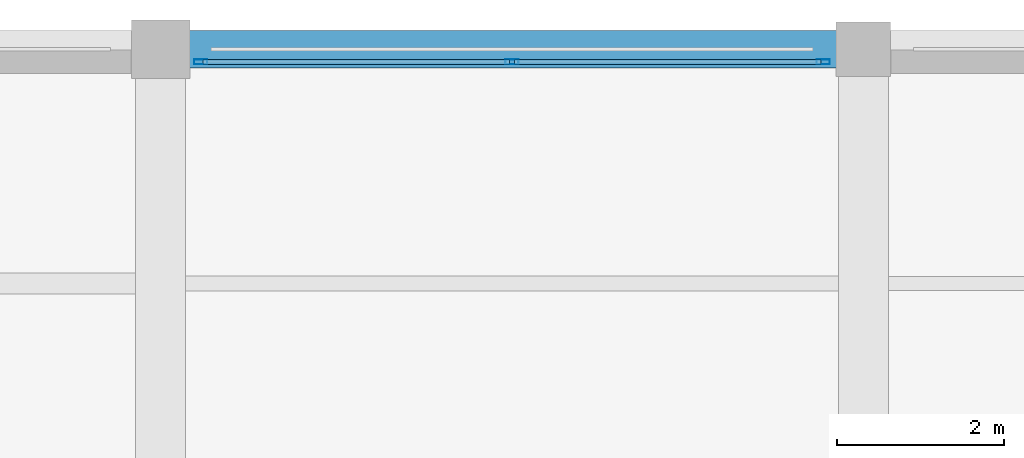
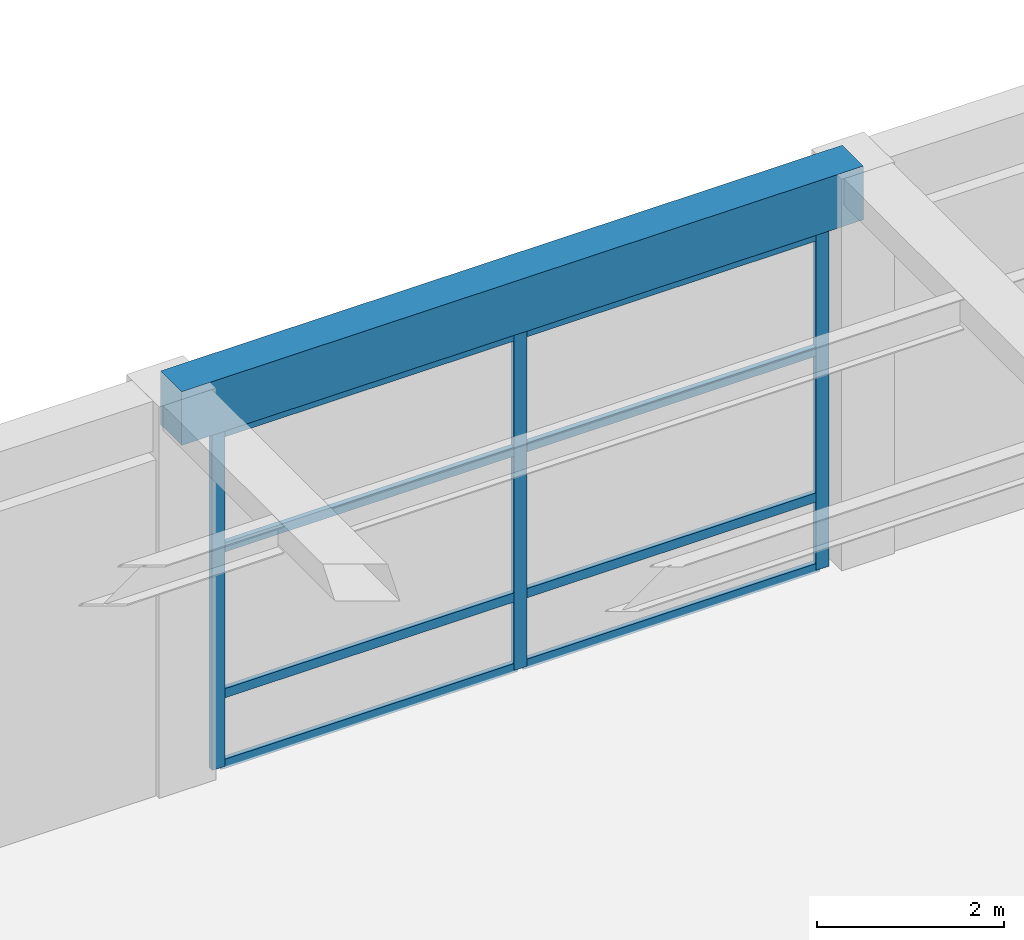
# One storey, part 39 of 96: 11 members, 1 beam, 1 element without a shape of its own.
"""IFC4 building model written with IfcOpenShell, lengths in metres."""

from ifc_helpers import new_model, si_unit, direction, frame, origin, origin_2d, place, context, subcontext, project, spatial, rectangle, hollow_rectangle, extrude, material, material_profile, profile_set, type_object, element, aggregate, save


model = new_model("IFC4")

# Units and contexts
model_context = context("Model", 3, precision=1e-05, world=origin(), true_north=direction((0.0, 1.0)))
body_context = subcontext(model_context, "Body", "Model", "MODEL_VIEW")
ifc_project = project(units=[si_unit("LENGTHUNIT", "METRE"), si_unit("AREAUNIT", "SQUARE_METRE"), si_unit("VOLUMEUNIT", "CUBIC_METRE"), si_unit("PLANEANGLEUNIT", "RADIAN"), si_unit("MASSUNIT", "GRAM", prefix="KILO")], contexts=[model_context])

# Site, building, storey
site_placement = place(None, origin())
site = spatial("IfcSite", under=ifc_project, at=site_placement, CompositionType="ELEMENT")
building_placement = place(site_placement, origin())
building = spatial("IfcBuilding", under=site, at=building_placement, Name="Almacenes y Pasaje Nevantli", CompositionType="ELEMENT")
storey_placement = place(building_placement, frame((0.0, 0.0, 6.0)))
storey = spatial("IfcBuildingStorey", under=building, at=storey_placement, Name="L02", CompositionType="ELEMENT", Elevation=6.0)

# Beam
ifc_material_1 = material(Name="Concrete C35/45", Category="concrete")
ifc_material_profile_1 = material_profile(ifc_material_1, rectangle(XDim=0.449951171875, YDim=0.699951171875, at=origin_2d()), Name="RC-BM-450x700")
ifc_profile_set_1 = profile_set([ifc_material_profile_1], Name="Concrete C35/45")
beam_type = type_object("IfcBeamType", Name="BM-RC-450x700", PredefinedType="SPANDREL", material=ifc_profile_set_1)
beam_placement = place(storey_placement, frame((33.60009765625, 117.60009765625, 4.75), z_axis=(1.0, 0.0, 0.0), x_axis=(0.0, 1.0, 0.0)))
element("IfcBeam", 1, at=beam_placement, inside=storey, type_object=beam_type, Name="L02 East-West Reinforced Concrete Beam #1950", PredefinedType="SPANDREL", context=body_context, shape_type="SweptSolid", body=[
    extrude(rectangle(XDim=0.449951171875, YDim=0.699951171875, at=origin_2d()), origin(), (0.0, 0.0, 1.0), 8.39990234375),
])

# Curtain wall, members
ifc_material_2 = material(Name="Thermally Broken Aluminium and Low-E Glass", Category="aluminium")
curtain_wall_type = type_object("IfcCurtainWallType", Name="CW-STF-BLVD", PredefinedType="USERDEFINED", material=ifc_material_2)
curtain_wall_placement = place(storey_placement, origin())
curtain_wall = element("IfcCurtainWall", 2, at=curtain_wall_placement, inside=storey, type_object=curtain_wall_type, Name="L02 North Boulevard Retail Curtain Wall Bay 5", ObjectType="STOREFRONT GLAZING", PredefinedType="USERDEFINED")
ifc_material_3 = material(Name="Thermally Broken Anodized Aluminium", Category="aluminium")
ifc_material_profile_2 = material_profile(ifc_material_3, hollow_rectangle(XDim=0.06005859375, YDim=0.159912109375, WallThickness=0.00390625, at=origin_2d()), Name="ALU-MUL-60x160")
ifc_profile_set_2 = profile_set([ifc_material_profile_2], Name="Thermally Broken Anodized Aluminium")
member_type_1 = type_object("IfcMemberType", Name="CW-MUL-180", PredefinedType="MULLION", material=ifc_profile_set_2)
member_1_placement = place(storey_placement, frame((34.080078125, 117.449951171875, 0.0), z_axis=(0.0, 0.0, 1.0), x_axis=(0.0, 1.0, 0.0)))
member_1 = element("IfcMember", 3, at=member_1_placement, type_object=member_type_1, Name="CW-L02-003 mullion 1", PredefinedType="MULLION", context=body_context, shape_type="SweptSolid", body=[
    extrude(hollow_rectangle(XDim=0.06005859375, YDim=0.159912109375, WallThickness=0.00390625, at=origin_2d()), origin(), (0.0, 0.0, 1.0), 4.3798828125),
])
member_2_placement = place(storey_placement, frame((37.800048828125, 117.449951171875, 0.0), z_axis=(0.0, 0.0, 1.0), x_axis=(0.0, 1.0, 0.0)))
member_2 = element("IfcMember", 4, at=member_2_placement, type_object=member_type_1, Name="CW-L02-003 mullion 2", PredefinedType="MULLION", context=body_context, shape_type="SweptSolid", body=[
    extrude(hollow_rectangle(XDim=0.06005859375, YDim=0.159912109375, WallThickness=0.00390625, at=origin_2d()), origin(), (0.0, 0.0, 1.0), 4.3798828125),
])
member_3_placement = place(storey_placement, frame((41.52001953125, 117.449951171875, 0.0), z_axis=(0.0, 0.0, 1.0), x_axis=(0.0, 1.0, 0.0)))
member_3 = element("IfcMember", 5, at=member_3_placement, type_object=member_type_1, Name="CW-L02-003 mullion 3", PredefinedType="MULLION", context=body_context, shape_type="SweptSolid", body=[
    extrude(hollow_rectangle(XDim=0.06005859375, YDim=0.159912109375, WallThickness=0.00390625, at=origin_2d()), origin(), (0.0, 0.0, 1.0), 4.3798828125),
])
ifc_material_4 = material(Name="Thermally Broken Anodized Aluminium", Category="aluminium")
ifc_material_profile_3 = material_profile(ifc_material_4, hollow_rectangle(XDim=0.06005859375, YDim=0.1201171875, WallThickness=0.00341796875, at=origin_2d()), Name="ALU-TRN-60x120")
ifc_profile_set_3 = profile_set([ifc_material_profile_3], Name="Thermally Broken Anodized Aluminium")
member_type_2 = type_object("IfcMemberType", Name="CW-TRN-130", PredefinedType="USERDEFINED", material=ifc_profile_set_3)
member_4_placement = place(storey_placement, frame((34.110107421875, 117.449951171875, 0.030029296875), z_axis=(1.0, 0.0, 0.0), x_axis=(0.0, 1.0, 0.0)))
member_4 = element("IfcMember", 6, at=member_4_placement, type_object=member_type_2, Name="CW-L02-003 transom 1.1", ObjectType="TRANSOM", PredefinedType="USERDEFINED", context=body_context, shape_type="SweptSolid", body=[
    extrude(hollow_rectangle(XDim=0.06005859375, YDim=0.1201171875, WallThickness=0.00341796875, at=origin_2d()), origin(), (0.0, 0.0, 1.0), 3.659912109375),
])
member_5_placement = place(storey_placement, frame((34.110107421875, 117.449951171875, 0.949951171875), z_axis=(1.0, 0.0, 0.0), x_axis=(0.0, 1.0, 0.0)))
member_5 = element("IfcMember", 7, at=member_5_placement, type_object=member_type_2, Name="CW-L02-003 transom 1.2", ObjectType="TRANSOM", PredefinedType="USERDEFINED", context=body_context, shape_type="SweptSolid", body=[
    extrude(hollow_rectangle(XDim=0.06005859375, YDim=0.1201171875, WallThickness=0.00341796875, at=origin_2d()), origin(), (0.0, 0.0, 1.0), 3.659912109375),
])
member_6_placement = place(storey_placement, frame((34.110107421875, 117.449951171875, 2.85009765625), z_axis=(1.0, 0.0, 0.0), x_axis=(0.0, 1.0, 0.0)))
member_6 = element("IfcMember", 8, at=member_6_placement, type_object=member_type_2, Name="CW-L02-003 transom 1.3", ObjectType="TRANSOM", PredefinedType="USERDEFINED", context=body_context, shape_type="SweptSolid", body=[
    extrude(hollow_rectangle(XDim=0.06005859375, YDim=0.1201171875, WallThickness=0.00341796875, at=origin_2d()), origin(), (0.0, 0.0, 1.0), 3.659912109375),
])
member_7_placement = place(storey_placement, frame((34.110107421875, 117.449951171875, 4.35009765625), z_axis=(1.0, 0.0, 0.0), x_axis=(0.0, 1.0, 0.0)))
member_7 = element("IfcMember", 9, at=member_7_placement, type_object=member_type_2, Name="CW-L02-003 transom 1.4", ObjectType="TRANSOM", PredefinedType="USERDEFINED", context=body_context, shape_type="SweptSolid", body=[
    extrude(hollow_rectangle(XDim=0.06005859375, YDim=0.1201171875, WallThickness=0.00341796875, at=origin_2d()), origin(), (0.0, 0.0, 1.0), 3.659912109375),
])
member_8_placement = place(storey_placement, frame((37.830078125, 117.449951171875, 0.030029296875), z_axis=(1.0, 0.0, 0.0), x_axis=(0.0, 1.0, 0.0)))
member_8 = element("IfcMember", 10, at=member_8_placement, type_object=member_type_2, Name="CW-L02-003 transom 2.1", ObjectType="TRANSOM", PredefinedType="USERDEFINED", context=body_context, shape_type="SweptSolid", body=[
    extrude(hollow_rectangle(XDim=0.06005859375, YDim=0.1201171875, WallThickness=0.00341796875, at=origin_2d()), origin(), (0.0, 0.0, 1.0), 3.659912109375),
])
member_9_placement = place(storey_placement, frame((37.830078125, 117.449951171875, 0.949951171875), z_axis=(1.0, 0.0, 0.0), x_axis=(0.0, 1.0, 0.0)))
member_9 = element("IfcMember", 11, at=member_9_placement, type_object=member_type_2, Name="CW-L02-003 transom 2.2", ObjectType="TRANSOM", PredefinedType="USERDEFINED", context=body_context, shape_type="SweptSolid", body=[
    extrude(hollow_rectangle(XDim=0.06005859375, YDim=0.1201171875, WallThickness=0.00341796875, at=origin_2d()), origin(), (0.0, 0.0, 1.0), 3.659912109375),
])
member_10_placement = place(storey_placement, frame((37.830078125, 117.449951171875, 2.85009765625), z_axis=(1.0, 0.0, 0.0), x_axis=(0.0, 1.0, 0.0)))
member_10 = element("IfcMember", 12, at=member_10_placement, type_object=member_type_2, Name="CW-L02-003 transom 2.3", ObjectType="TRANSOM", PredefinedType="USERDEFINED", context=body_context, shape_type="SweptSolid", body=[
    extrude(hollow_rectangle(XDim=0.06005859375, YDim=0.1201171875, WallThickness=0.00341796875, at=origin_2d()), origin(), (0.0, 0.0, 1.0), 3.659912109375),
])
member_11_placement = place(storey_placement, frame((37.830078125, 117.449951171875, 4.35009765625), z_axis=(1.0, 0.0, 0.0), x_axis=(0.0, 1.0, 0.0)))
member_11 = element("IfcMember", 13, at=member_11_placement, type_object=member_type_2, Name="CW-L02-003 transom 2.4", ObjectType="TRANSOM", PredefinedType="USERDEFINED", context=body_context, shape_type="SweptSolid", body=[
    extrude(hollow_rectangle(XDim=0.06005859375, YDim=0.1201171875, WallThickness=0.00341796875, at=origin_2d()), origin(), (0.0, 0.0, 1.0), 3.659912109375),
])
aggregate(curtain_wall, [member_1, member_2, member_3, member_4, member_5, member_6, member_7, member_8, member_9, member_10, member_11])

save(model, "model.ifc")
